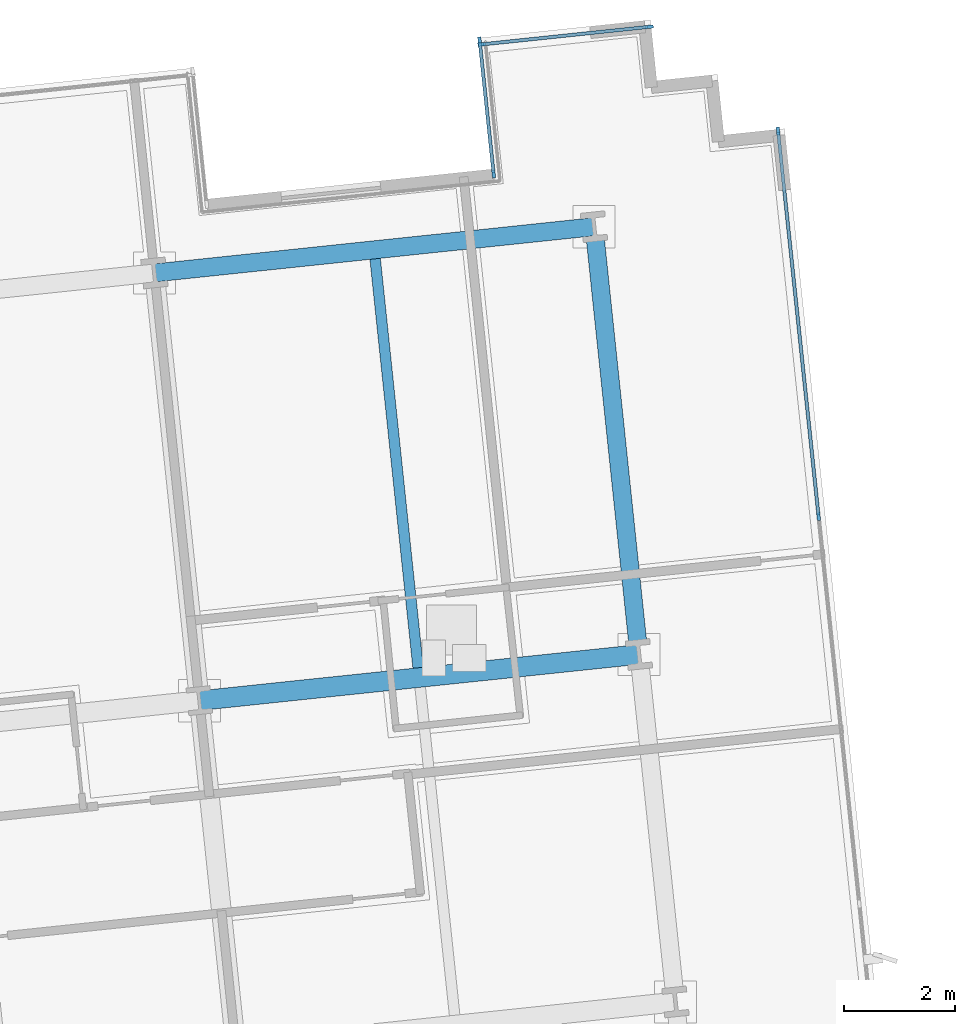
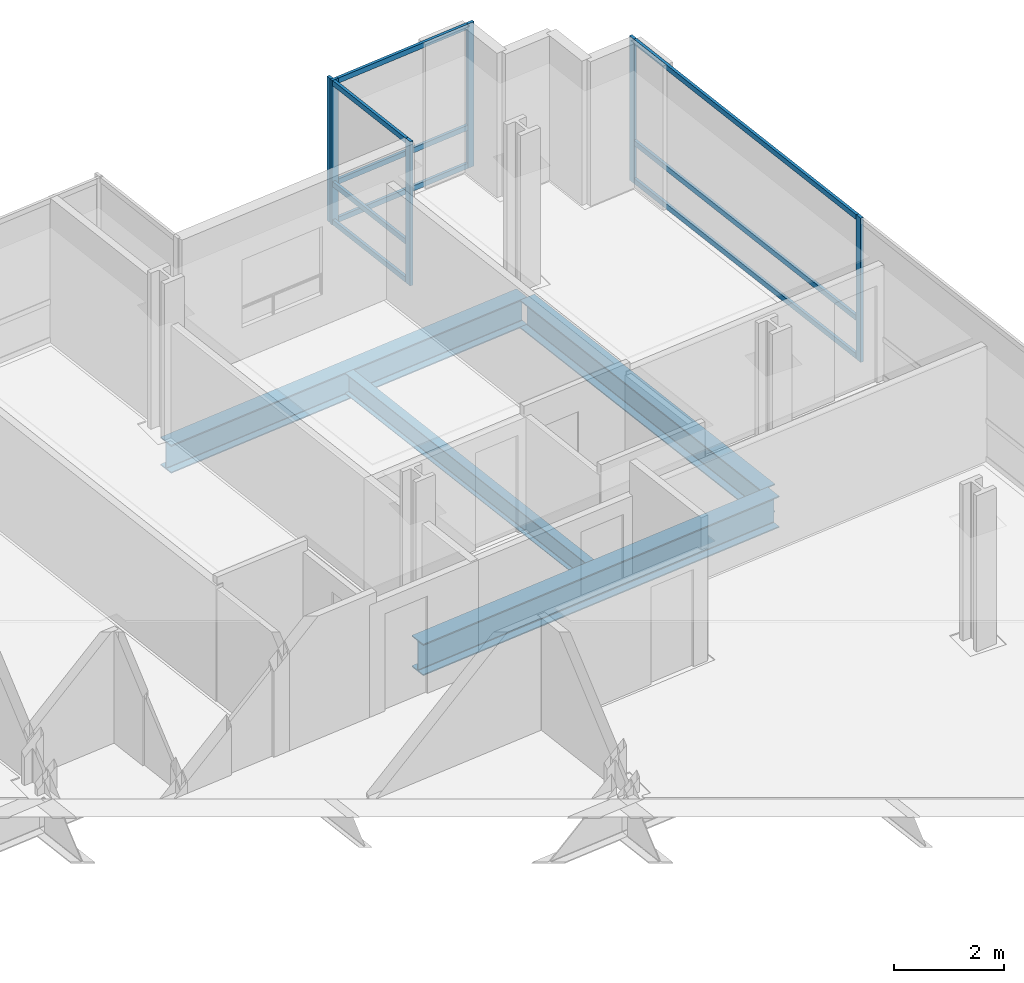
# One storey, part 11 of 20: 15 members, 4 beams, 3 elements without a shape of their own.
"""IFC4 building model written with IfcOpenShell, lengths in metres."""

from ifc_helpers import new_model, si_unit, direction, frame, origin, origin_2d, place, context, subcontext, project, spatial, rectangle, i_section, extrude, material, material_profile, profile_set, type_object, element, aggregate, save


model = new_model("IFC4")

# Units and contexts
model_context = context("Model", 3, precision=1e-05, world=origin(), true_north=direction((0.0, 1.0)))
body_context = subcontext(model_context, "Body", "Model", "MODEL_VIEW")
ifc_project = project(units=[si_unit("LENGTHUNIT", "METRE"), si_unit("AREAUNIT", "SQUARE_METRE"), si_unit("VOLUMEUNIT", "CUBIC_METRE"), si_unit("PLANEANGLEUNIT", "RADIAN"), si_unit("MASSUNIT", "GRAM", prefix="KILO")], contexts=[model_context])

# Site, building, storey
site_placement = place(None, origin())
site = spatial("IfcSite", under=ifc_project, at=site_placement, CompositionType="ELEMENT")
building_placement = place(site_placement, origin())
building = spatial("IfcBuilding", under=site, at=building_placement, Name="Solmavex Isthmus Hotel", CompositionType="ELEMENT")
storey_placement = place(building_placement, frame((0.0, 0.0, 109.800048828125)))
storey = spatial("IfcBuildingStorey", under=building, at=storey_placement, Name="L29", CompositionType="ELEMENT", Elevation=109.800048828125)

# Beams
ifc_material_1 = material(Name="Steel ASTM A992 Grade 50", Category="steel")
ifc_material_profile_1 = material_profile(ifc_material_1, i_section(OverallWidth=0.354736328125, OverallDepth=0.695556640625, WebThickness=0.015380859375, FlangeThickness=0.02490234375, FilletRadius=0.017822265625, at=origin_2d()), Name="W27X146")
ifc_profile_set_1 = profile_set([ifc_material_profile_1], Name="Steel ASTM A992 Grade 50")
beam_type_1 = type_object("IfcBeamType", Name="BM-BG-W27X146", PredefinedType="BEAM", material=ifc_profile_set_1)
beam_1_placement = place(storey_placement, frame((20.5615234375, 11.921875, -0.60791015625), z_axis=(0.994523402738, 0.104514120609, 0.0), x_axis=(-0.104514120609, 0.994523402738, 0.0)))
element("IfcBeam", 1, at=beam_1_placement, inside=storey, type_object=beam_type_1, Name="Floor Girder L29-UG18", PredefinedType="BEAM", context=body_context, shape_type="SweptSolid", body=[
    extrude(i_section(OverallWidth=0.354736328125, OverallDepth=0.695556640625, WebThickness=0.015380859375, FlangeThickness=0.02490234375, FilletRadius=0.017822265625, at=origin_2d()), origin(), (0.0, 0.0, 1.0), 7.968017578125),
])
ifc_material_profile_2 = material_profile(ifc_material_1, i_section(OverallWidth=0.1904296875, OverallDepth=0.456787109375, WebThickness=0.009033203125, FlangeThickness=0.014404296875, FilletRadius=0.0126953125, at=origin_2d()), Name="W18X50")
ifc_profile_set_2 = profile_set([ifc_material_profile_2], Name="Steel ASTM A992 Grade 50")
beam_type_2 = type_object("IfcBeamType", Name="BM-BJ-W18X50", PredefinedType="JOIST", material=ifc_profile_set_2)
beam_2_placement = place(storey_placement, frame((24.505126953125, 12.5146484375, -0.488525390625), z_axis=(-0.10452188296, 0.994522586964, 0.0), x_axis=(-0.994522586964, -0.10452188296, 0.0)))
element("IfcBeam", 2, at=beam_2_placement, inside=storey, type_object=beam_type_2, Name="Secondary Floor Joist L29-J21", PredefinedType="JOIST", context=body_context, shape_type="SweptSolid", body=[
    extrude(i_section(OverallWidth=0.1904296875, OverallDepth=0.456787109375, WebThickness=0.009033203125, FlangeThickness=0.014404296875, FilletRadius=0.0126953125, at=origin_2d()), origin(), (0.0, 0.0, 1.0), 7.411376953125),
])
ifc_material_profile_3 = material_profile(ifc_material_1, i_section(OverallWidth=0.326416015625, OverallDepth=0.621826171875, WebThickness=0.015380859375, FlangeThickness=0.0244140625, FilletRadius=0.01513671875, at=origin_2d()), Name="W24X131")
ifc_profile_set_3 = profile_set([ifc_material_profile_3], Name="Steel ASTM A992 Grade 50")
beam_type_3 = type_object("IfcBeamType", Name="BM-SP-W24X131", PredefinedType="SPANDREL", material=ifc_profile_set_3)
beam_3_placement = place(storey_placement, frame((19.751220703125, 19.63134765625, -0.571044921875), z_axis=(0.994520217478, 0.10454442609, 0.0), x_axis=(-0.10454442609, 0.994520217478, 0.0)))
element("IfcBeam", 3, at=beam_3_placement, inside=storey, type_object=beam_type_3, Name="Floor Girder L29-UG24", PredefinedType="SPANDREL", context=body_context, shape_type="SweptSolid", body=[
    extrude(i_section(OverallWidth=0.326416015625, OverallDepth=0.621826171875, WebThickness=0.015380859375, FlangeThickness=0.0244140625, FilletRadius=0.01513671875, at=origin_2d()), origin(), (0.0, 0.0, 1.0), 7.968017578125),
])
beam_4_placement = place(storey_placement, frame((28.46728515625, 12.93115234375, -0.571044921875), z_axis=(-0.10452188296, 0.994522586964, 0.0), x_axis=(-0.994522586964, -0.10452188296, 0.0)))
element("IfcBeam", 4, at=beam_4_placement, inside=storey, type_object=beam_type_3, Name="Floor Beam L29-VG48", PredefinedType="SPANDREL", context=body_context, shape_type="SweptSolid", body=[
    extrude(i_section(OverallWidth=0.326416015625, OverallDepth=0.621826171875, WebThickness=0.015380859375, FlangeThickness=0.0244140625, FilletRadius=0.01513671875, at=origin_2d()), origin(), (0.0, 0.0, 1.0), 7.411376953125),
])

# Curtain wall, members
ifc_material_2 = material(Name="Aluminium alloy 6063-T6", Category="aluminium")
curtain_wall_type = type_object("IfcCurtainWallType", Name="CW-SYS-06", PredefinedType="NOTDEFINED", material=ifc_material_2)
curtain_wall_1_placement = place(storey_placement, origin())
curtain_wall_1 = element("IfcCurtainWall", 5, at=curtain_wall_1_placement, inside=storey, type_object=curtain_wall_type, Name="Stick Curtain Wall CWL-L29-SGE", PredefinedType="NOTDEFINED")
ifc_material_profile_4 = material_profile(ifc_material_2, rectangle(XDim=0.06005859375, YDim=0.139892578125, at=origin_2d()), Name="CWM-60X140")
ifc_profile_set_4 = profile_set([ifc_material_profile_4], Name="Aluminium alloy 6063-T6")
member_type_1 = type_object("IfcMemberType", Name="CW-SYS-06-MUL", PredefinedType="MULLION", material=ifc_profile_set_4)
member_1_placement = place(storey_placement, frame((25.86669921875, 21.410400390625, 0.0), z_axis=(0.0, 0.0, 1.0), x_axis=(-0.994521945164, -0.10452798949, 0.0)))
member_1 = element("IfcMember", 6, at=member_1_placement, type_object=member_type_1, Name="CW-06 mullion 1", PredefinedType="MULLION", context=body_context, shape_type="SweptSolid", body=[
    extrude(rectangle(XDim=0.06005859375, YDim=0.139892578125, at=origin_2d()), origin(), (0.0, 0.0, 1.0), 3.18994140625),
])
member_2_placement = place(storey_placement, frame((25.61376953125, 23.817138671875, 0.0), z_axis=(0.0, 0.0, 1.0), x_axis=(-0.994521945164, -0.10452798949, 0.0)))
member_2 = element("IfcMember", 7, at=member_2_placement, type_object=member_type_1, Name="CW-06 mullion 2", PredefinedType="MULLION", context=body_context, shape_type="SweptSolid", body=[
    extrude(rectangle(XDim=0.06005859375, YDim=0.139892578125, at=origin_2d()), origin(), (0.0, 0.0, 1.0), 3.18994140625),
])

curtain_wall_2_placement = place(storey_placement, origin())
curtain_wall_2 = element("IfcCurtainWall", 8, at=curtain_wall_2_placement, inside=storey, type_object=curtain_wall_type, Name="Stick Curtain Wall CWL-L29-N4", PredefinedType="NOTDEFINED")
member_3_placement = place(storey_placement, frame((25.65087890625, 23.750732421875, 0.0), z_axis=(0.0, 0.0, 1.0), x_axis=(-0.104528954802, 0.994521843706, 0.0)))
member_3 = element("IfcMember", 9, at=member_3_placement, type_object=member_type_1, Name="CW-06 mullion 1", PredefinedType="MULLION", context=body_context, shape_type="SweptSolid", body=[
    extrude(rectangle(XDim=0.06005859375, YDim=0.139892578125, at=origin_2d()), origin(), (0.0, 0.0, 1.0), 3.18994140625),
])
member_4_placement = place(storey_placement, frame((28.67431640625, 24.068359375, 0.0), z_axis=(0.0, 0.0, 1.0), x_axis=(-0.104528954802, 0.994521843706, 0.0)))
member_4 = element("IfcMember", 10, at=member_4_placement, type_object=member_type_1, Name="CW-06 mullion 2", PredefinedType="MULLION", context=body_context, shape_type="SweptSolid", body=[
    extrude(rectangle(XDim=0.06005859375, YDim=0.139892578125, at=origin_2d()), origin(), (0.0, 0.0, 1.0), 3.18994140625),
])

curtain_wall_3_placement = place(storey_placement, origin())
curtain_wall_3 = element("IfcCurtainWall", 11, at=curtain_wall_3_placement, inside=storey, type_object=curtain_wall_type, Name="Stick Curtain Wall CWL-L29-E1", PredefinedType="NOTDEFINED")
member_5_placement = place(storey_placement, frame((31.723876953125, 15.23876953125, 0.0), z_axis=(0.0, 0.0, 1.0), x_axis=(-0.994521893044, -0.104528485381, 0.0)))
member_5 = element("IfcMember", 12, at=member_5_placement, type_object=member_type_1, Name="CW-06 mullion 5", PredefinedType="MULLION", context=body_context, shape_type="SweptSolid", body=[
    extrude(rectangle(XDim=0.06005859375, YDim=0.139892578125, at=origin_2d()), origin(), (0.0, 0.0, 1.0), 3.18994140625),
])
member_6_placement = place(storey_placement, frame((30.9931640625, 22.1904296875, 0.0), z_axis=(0.0, 0.0, 1.0), x_axis=(-0.994521893044, -0.104528485381, 0.0)))
member_6 = element("IfcMember", 13, at=member_6_placement, type_object=member_type_1, Name="CW-06 mullion 6", PredefinedType="MULLION", context=body_context, shape_type="SweptSolid", body=[
    extrude(rectangle(XDim=0.06005859375, YDim=0.139892578125, at=origin_2d()), origin(), (0.0, 0.0, 1.0), 3.18994140625),
])

# Member
ifc_material_profile_5 = material_profile(ifc_material_2, rectangle(XDim=0.06005859375, YDim=0.114990234375, at=origin_2d()), Name="CWT-60X115")
ifc_profile_set_5 = profile_set([ifc_material_profile_5], Name="Aluminium alloy 6063-T6")
member_type_2 = type_object("IfcMemberType", Name="CW-SYS-06-TRN", PredefinedType="USERDEFINED", material=ifc_profile_set_5)
member_7_placement = place(storey_placement, frame((25.863525390625, 21.440185546875, 0.057373046875), z_axis=(-0.104480158203, 0.994526971249, 0.0), x_axis=(-0.994526971249, -0.104480158203, 0.0)))
member_7 = element("IfcMember", 14, at=member_7_placement, type_object=member_type_2, Name="CW-06 transom 1.1", ObjectType="TRANSOM", PredefinedType="USERDEFINED", context=body_context, shape_type="SweptSolid", body=[
    extrude(rectangle(XDim=0.06005859375, YDim=0.114990234375, at=origin_2d()), origin(), (0.0, 0.0, 1.0), 2.360107421875),
])

member_8_placement = place(storey_placement, frame((25.863525390625, 21.440185546875, 0.89990234375), z_axis=(-0.104480158203, 0.994526971249, 0.0), x_axis=(-0.994526971249, -0.104480158203, 0.0)))
member_8 = element("IfcMember", 15, at=member_8_placement, type_object=member_type_2, Name="CW-06 transom 1.2", ObjectType="TRANSOM", PredefinedType="USERDEFINED", context=body_context, shape_type="SweptSolid", body=[
    extrude(rectangle(XDim=0.06005859375, YDim=0.114990234375, at=origin_2d()), origin(), (0.0, 0.0, 1.0), 2.360107421875),
])

member_9_placement = place(storey_placement, frame((25.863525390625, 21.440185546875, 3.132568359375), z_axis=(-0.104480158203, 0.994526971249, 0.0), x_axis=(-0.994526971249, -0.104480158203, 0.0)))
member_9 = element("IfcMember", 16, at=member_9_placement, type_object=member_type_2, Name="CW-06 transom 1.3", ObjectType="TRANSOM", PredefinedType="USERDEFINED", context=body_context, shape_type="SweptSolid", body=[
    extrude(rectangle(XDim=0.06005859375, YDim=0.114990234375, at=origin_2d()), origin(), (0.0, 0.0, 1.0), 2.360107421875),
])

aggregate(curtain_wall_1, [member_1, member_2, member_7, member_8, member_9])

member_10_placement = place(storey_placement, frame((25.6806640625, 23.75390625, 0.057373046875), z_axis=(0.994529220149, 0.10445874913, 0.0), x_axis=(-0.10445874913, 0.994529220149, 0.0)))
member_10 = element("IfcMember", 17, at=member_10_placement, type_object=member_type_2, Name="CW-06 transom 1.1", ObjectType="TRANSOM", PredefinedType="USERDEFINED", context=body_context, shape_type="SweptSolid", body=[
    extrude(rectangle(XDim=0.06005859375, YDim=0.114990234375, at=origin_2d()), origin(), (0.0, 0.0, 1.0), 2.97998046875),
])

member_11_placement = place(storey_placement, frame((25.6806640625, 23.75390625, 0.89990234375), z_axis=(0.994529220149, 0.10445874913, 0.0), x_axis=(-0.10445874913, 0.994529220149, 0.0)))
member_11 = element("IfcMember", 18, at=member_11_placement, type_object=member_type_2, Name="CW-06 transom 1.2", ObjectType="TRANSOM", PredefinedType="USERDEFINED", context=body_context, shape_type="SweptSolid", body=[
    extrude(rectangle(XDim=0.06005859375, YDim=0.114990234375, at=origin_2d()), origin(), (0.0, 0.0, 1.0), 2.97998046875),
])

member_12_placement = place(storey_placement, frame((25.6806640625, 23.75390625, 3.132568359375), z_axis=(0.994529220149, 0.10445874913, 0.0), x_axis=(-0.10445874913, 0.994529220149, 0.0)))
member_12 = element("IfcMember", 19, at=member_12_placement, type_object=member_type_2, Name="CW-06 transom 1.3", ObjectType="TRANSOM", PredefinedType="USERDEFINED", context=body_context, shape_type="SweptSolid", body=[
    extrude(rectangle(XDim=0.06005859375, YDim=0.114990234375, at=origin_2d()), origin(), (0.0, 0.0, 1.0), 2.97998046875),
])

aggregate(curtain_wall_2, [member_3, member_4, member_10, member_11, member_12])

member_13_placement = place(storey_placement, frame((31.720703125, 15.2685546875, 0.057373046875), z_axis=(-0.10452523802, 0.99452223435, 0.0), x_axis=(-0.99452223435, -0.10452523802, 0.0)))
member_13 = element("IfcMember", 20, at=member_13_placement, type_object=member_type_2, Name="CW-06 transom 5.1", ObjectType="TRANSOM", PredefinedType="USERDEFINED", context=body_context, shape_type="SweptSolid", body=[
    extrude(rectangle(XDim=0.06005859375, YDim=0.114990234375, at=origin_2d()), origin(), (0.0, 0.0, 1.0), 6.929931640625),
])

member_14_placement = place(storey_placement, frame((31.720703125, 15.2685546875, 0.89990234375), z_axis=(-0.10452523802, 0.99452223435, 0.0), x_axis=(-0.99452223435, -0.10452523802, 0.0)))
member_14 = element("IfcMember", 21, at=member_14_placement, type_object=member_type_2, Name="CW-06 transom 5.2", ObjectType="TRANSOM", PredefinedType="USERDEFINED", context=body_context, shape_type="SweptSolid", body=[
    extrude(rectangle(XDim=0.06005859375, YDim=0.114990234375, at=origin_2d()), origin(), (0.0, 0.0, 1.0), 6.929931640625),
])

member_15_placement = place(storey_placement, frame((31.720703125, 15.2685546875, 3.132568359375), z_axis=(-0.10452523802, 0.99452223435, 0.0), x_axis=(-0.99452223435, -0.10452523802, 0.0)))
member_15 = element("IfcMember", 22, at=member_15_placement, type_object=member_type_2, Name="CW-06 transom 5.3", ObjectType="TRANSOM", PredefinedType="USERDEFINED", context=body_context, shape_type="SweptSolid", body=[
    extrude(rectangle(XDim=0.06005859375, YDim=0.114990234375, at=origin_2d()), origin(), (0.0, 0.0, 1.0), 6.929931640625),
])

aggregate(curtain_wall_3, [member_5, member_6, member_13, member_14, member_15])

save(model, "model.ifc")
